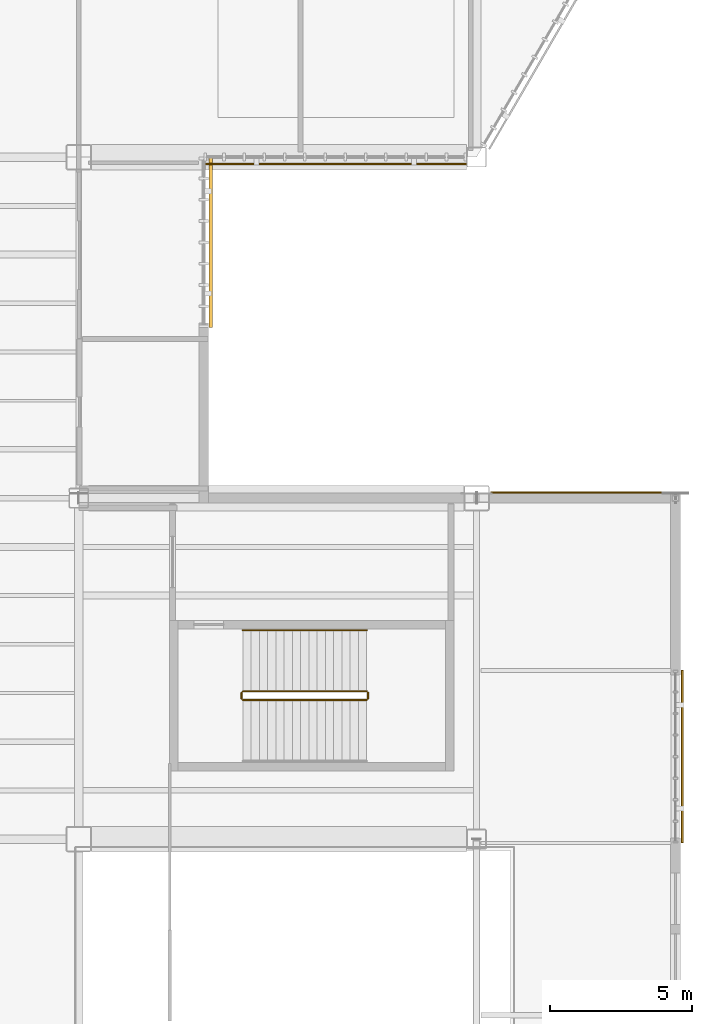
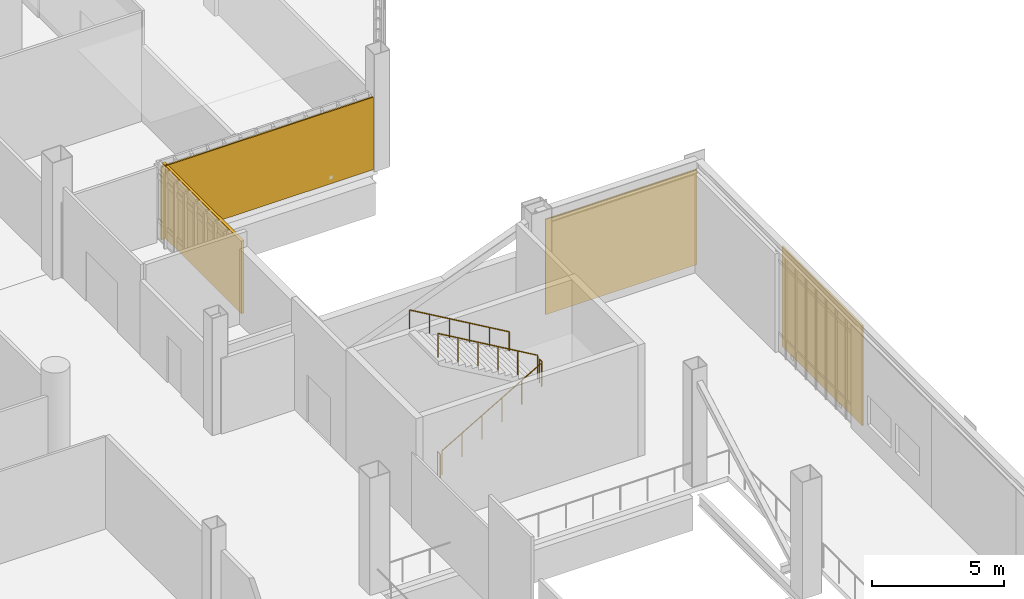
# One storey, part 123 of 127: 5 railings, 3 shading devices, 1 covering.
"""IFC4 building model written with IfcOpenShell, lengths in metres."""

from ifc_helpers import new_model, si_unit, direction, frame, origin, origin_2d, place, context, subcontext, project, spatial, rectangle, circle, extrude, material, layer, layer_set, type_object, element, save


model = new_model("IFC4")

# Units and contexts
model_context = context("Model", 3, precision=1e-05, world=origin(), true_north=direction((0.0, 1.0)))
body_context = subcontext(model_context, "Body", "Model", "MODEL_VIEW")
ifc_project = project(units=[si_unit("LENGTHUNIT", "METRE"), si_unit("AREAUNIT", "SQUARE_METRE"), si_unit("VOLUMEUNIT", "CUBIC_METRE"), si_unit("PLANEANGLEUNIT", "RADIAN"), si_unit("MASSUNIT", "GRAM", prefix="KILO")], contexts=[model_context])

# Site, building, storey
site_placement = place(None, origin())
site = spatial("IfcSite", under=ifc_project, at=site_placement, CompositionType="ELEMENT")
building_placement = place(site_placement, origin())
building = spatial("IfcBuilding", under=site, at=building_placement, Name="Larkvane Passage Sports Hall", CompositionType="ELEMENT")
storey_placement = place(building_placement, frame((0.0, 0.0, 5.39990234375)))
storey = spatial("IfcBuildingStorey", under=building, at=storey_placement, Name="L01", CompositionType="ELEMENT", Elevation=5.39990234375)

# Covering
ifc_material_1 = material(Name="Perforated anodised aluminium 5052-H32", Category="aluminium")
ifc_layer_1 = layer(ifc_material_1, 0.050048828125)
ifc_layer_set_1 = layer_set([ifc_layer_1], Name="Perforated anodised aluminium 5052-H32")
covering_type = type_object("IfcCoveringType", Name="COV-MESH-VEIL", PredefinedType="CLADDING", material=ifc_layer_set_1)
covering_placement = place(storey_placement, frame((149.40576171875, 51.797607421875, 0.0751953125), z_axis=(0.0, 0.0, 1.0), x_axis=(1.0, 0.0, 0.0)))
element("IfcCovering", 1, at=covering_placement, inside=storey, type_object=covering_type, Name="Perforated cladding cassette L01-096", PredefinedType="CLADDING", context=body_context, shape_type="SweptSolid", body=[
    extrude(rectangle(XDim=6.61962890625, YDim=0.050048828125, at=origin_2d()), origin(), (0.0, 0.0, 1.0), 4.39990234375),
])

# Railings
ifc_material_2 = material(Name="Steel S355JR", Category="steel")
railing_type_1 = type_object("IfcRailingType", Name="RL-GUARD-1120", PredefinedType="GUARDRAIL", material=ifc_material_2)
railing_1_placement = place(storey_placement, frame((137.3798828125, 44.5, 0.1689453125)))
element("IfcRailing", 2, at=railing_1_placement, inside=storey, type_object=railing_type_1, Name="L01 ST-07 stair guard 1", PredefinedType="GUARDRAIL", context=body_context, shape_type="SweptSolid", body=[
    extrude(circle(Radius=0.02392578125, at=origin_2d()), frame((0.001708984375, 0.0, 1.09716796875), z_axis=(0.864323800911, 0.0, 0.50293574856), x_axis=(0.0, 1.0, 0.0)), (0.0, 0.0, 1.0), 5.029052734375),
    extrude(circle(Radius=0.02099609375, at=origin_2d()), origin(), (0.0, 0.0, 1.0), 1.072021484375),
    extrude(circle(Radius=0.02099609375, at=origin_2d()), frame((0.8701171875, 0.0, 0.50634765625)), (0.0, 0.0, 1.0), 1.072021484375),
    extrude(circle(Radius=0.02099609375, at=origin_2d()), frame((1.739990234375, 0.0, 1.012451171875)), (0.0, 0.0, 1.0), 1.072021484375),
    extrude(circle(Radius=0.02099609375, at=origin_2d()), frame((2.610107421875, 0.0, 1.518798828125)), (0.0, 0.0, 1.0), 1.072021484375),
    extrude(circle(Radius=0.02099609375, at=origin_2d()), frame((3.47998046875, 0.0, 2.02490234375)), (0.0, 0.0, 1.0), 1.072021484375),
    extrude(circle(Radius=0.02099609375, at=origin_2d()), frame((4.35009765625, 0.0, 2.53125)), (0.0, 0.0, 1.0), 1.072021484375),
])
railing_2_placement = place(storey_placement, frame((141.780029296875, 44.550048828125, 2.7001953125)))
element("IfcRailing", 3, at=railing_2_placement, inside=storey, type_object=railing_type_1, Name="L01 ST-07 stair guard 2", PredefinedType="GUARDRAIL", context=body_context, shape_type="SweptSolid", body=[
    extrude(circle(Radius=0.02392578125, at=origin_2d()), frame((0.0, 0.001953125, 1.09619140625), z_axis=(0.0, 1.0, 0.0), x_axis=(-1.0, 0.0, 0.0)), (0.0, 0.0, 1.0), 0.196044921875),
    extrude(circle(Radius=0.02099609375, at=origin_2d()), origin(), (0.0, 0.0, 1.0), 1.072021484375),
    extrude(circle(Radius=0.02099609375, at=origin_2d()), frame((0.0, 0.199951171875, 0.0)), (0.0, 0.0, 1.0), 1.072021484375),
])
railing_3_placement = place(storey_placement, frame((141.72998046875, 44.800048828125, 2.868896484375)))
element("IfcRailing", 4, at=railing_3_placement, inside=storey, type_object=railing_type_1, Name="L01 ST-07 stair guard 3", PredefinedType="GUARDRAIL", context=body_context, shape_type="SweptSolid", body=[
    extrude(circle(Radius=0.02392578125, at=origin_2d()), frame((-0.001708984375, 0.0, 1.09716796875), z_axis=(-0.864323800911, 0.0, 0.50293574856), x_axis=(0.0, -1.0, 0.0)), (0.0, 0.0, 1.0), 5.029052734375),
    extrude(circle(Radius=0.02099609375, at=origin_2d()), origin(), (0.0, 0.0, 1.0), 1.072021484375),
    extrude(circle(Radius=0.02099609375, at=origin_2d()), frame((-0.8701171875, 0.0, 0.50634765625)), (0.0, 0.0, 1.0), 1.072021484375),
    extrude(circle(Radius=0.02099609375, at=origin_2d()), frame((-1.739990234375, 0.0, 1.012451171875)), (0.0, 0.0, 1.0), 1.072021484375),
    extrude(circle(Radius=0.02099609375, at=origin_2d()), frame((-2.610107421875, 0.0, 1.518798828125)), (0.0, 0.0, 1.0), 1.072021484375),
    extrude(circle(Radius=0.02099609375, at=origin_2d()), frame((-3.47998046875, 0.0, 2.02490234375)), (0.0, 0.0, 1.0), 1.072021484375),
    extrude(circle(Radius=0.02099609375, at=origin_2d()), frame((-4.35009765625, 0.0, 2.53125)), (0.0, 0.0, 1.0), 1.072021484375),
])
railing_4_placement = place(storey_placement, frame((137.330078125, 44.550048828125, 0.0)))
element("IfcRailing", 5, at=railing_4_placement, inside=storey, type_object=railing_type_1, Name="L01 ST-07 stair guard 4", PredefinedType="GUARDRAIL", context=body_context, shape_type="SweptSolid", body=[
    extrude(circle(Radius=0.02392578125, at=origin_2d()), frame((0.0, 0.001953125, 1.09619140625), z_axis=(0.0, 1.0, 0.0), x_axis=(-1.0, 0.0, 0.0)), (0.0, 0.0, 1.0), 0.196044921875),
    extrude(circle(Radius=0.02099609375, at=origin_2d()), origin(), (0.0, 0.0, 1.0), 1.072021484375),
    extrude(circle(Radius=0.02099609375, at=origin_2d()), frame((0.0, 0.199951171875, 0.0)), (0.0, 0.0, 1.0), 1.072021484375),
])
ifc_material_3 = material(Name="Stainless steel S355JR", Category="steel")
railing_type_2 = type_object("IfcRailingType", Name="RL-HAND-920", PredefinedType="HANDRAIL", material=ifc_material_3)
railing_5_placement = place(storey_placement, frame((141.72998046875, 46.949951171875, 2.868896484375)))
element("IfcRailing", 6, at=railing_5_placement, inside=storey, type_object=railing_type_2, Name="L01 ST-07 stair handrail 2", PredefinedType="HANDRAIL", context=body_context, shape_type="SweptSolid", body=[
    extrude(circle(Radius=0.02392578125, at=origin_2d()), frame((-0.001708984375, 0.0, 0.876953125), z_axis=(-0.864323800911, 0.0, 0.50293574856), x_axis=(0.0, -1.0, 0.0)), (0.0, 0.0, 1.0), 5.029052734375),
    extrude(circle(Radius=0.02099609375, at=origin_2d()), origin(), (0.0, 0.0, 1.0), 0.851806640625),
    extrude(circle(Radius=0.02099609375, at=origin_2d()), frame((-0.8701171875, 0.0, 0.50634765625)), (0.0, 0.0, 1.0), 0.851806640625),
    extrude(circle(Radius=0.02099609375, at=origin_2d()), frame((-1.739990234375, 0.0, 1.012451171875)), (0.0, 0.0, 1.0), 0.851806640625),
    extrude(circle(Radius=0.02099609375, at=origin_2d()), frame((-2.610107421875, 0.0, 1.518798828125)), (0.0, 0.0, 1.0), 0.851806640625),
    extrude(circle(Radius=0.02099609375, at=origin_2d()), frame((-3.47998046875, 0.0, 2.02490234375)), (0.0, 0.0, 1.0), 0.851806640625),
    extrude(circle(Radius=0.02099609375, at=origin_2d()), frame((-4.35009765625, 0.0, 2.53125)), (0.0, 0.0, 1.0), 0.851806640625),
])

# Shading devices
ifc_material_4 = material(Name="Extruded aluminium 6063-T6", Category="aluminium")
ifc_layer_2 = layer(ifc_material_4, 0.1201171875)
ifc_layer_set_2 = layer_set([ifc_layer_2], Name="Extruded aluminium 6063-T6")
shading_device_type_1 = type_object("IfcShadingDeviceType", Name="SHD-LOUVRE-STORM", PredefinedType="JALOUSIE", material=ifc_layer_set_2)
shading_device_1_placement = place(storey_placement, frame((136.239990234375, 60.60009765625, 0.06005859375), z_axis=(0.0, 0.0, 1.0), x_axis=(0.0, -1.0, 0.0)))
element("IfcShadingDevice", 7, at=shading_device_1_placement, inside=storey, type_object=shading_device_type_1, Name="Solar veil screen L01-039", PredefinedType="JALOUSIE", context=body_context, shape_type="SweptSolid", body=[
    extrude(rectangle(XDim=6.0, YDim=0.1201171875, at=origin_2d()), origin(), (0.0, 0.0, 1.0), 3.347900390625),
])
ifc_layer_3 = layer(ifc_material_1, 0.06005859375)
ifc_layer_set_3 = layer_set([ifc_layer_3], Name="Perforated anodised aluminium 5052-H32")
shading_device_type_2 = type_object("IfcShadingDeviceType", Name="SHD-VEIL-PERF", PredefinedType="SHUTTER", material=ifc_layer_set_3)
shading_device_2_placement = place(storey_placement, frame((140.626953125, 63.360107421875, 0.06005859375), z_axis=(0.0, 0.0, 1.0), x_axis=(-1.0, 0.0, 0.0)))
element("IfcShadingDevice", 8, at=shading_device_2_placement, inside=storey, type_object=shading_device_type_2, Name="Solar veil screen L01-038", PredefinedType="SHUTTER", context=body_context, shape_type="SweptSolid", body=[
    extrude(rectangle(XDim=9.25390625, YDim=0.06005859375, at=origin_2d()), origin(), (0.0, 0.0, 1.0), 3.347900390625),
])
shading_device_3_placement = place(storey_placement, frame((152.840087890625, 42.5, 0.06005859375), z_axis=(0.0, 0.0, 1.0), x_axis=(0.0, -1.0, 0.0)))
element("IfcShadingDevice", 9, at=shading_device_3_placement, inside=storey, type_object=shading_device_type_2, Name="Solar veil screen L01-040", PredefinedType="SHUTTER", context=body_context, shape_type="SweptSolid", body=[
    extrude(rectangle(XDim=6.066650390625, YDim=0.06005859375, at=origin_2d()), origin(), (0.0, 0.0, 1.0), 4.6279296875),
])

save(model, "model.ifc")
